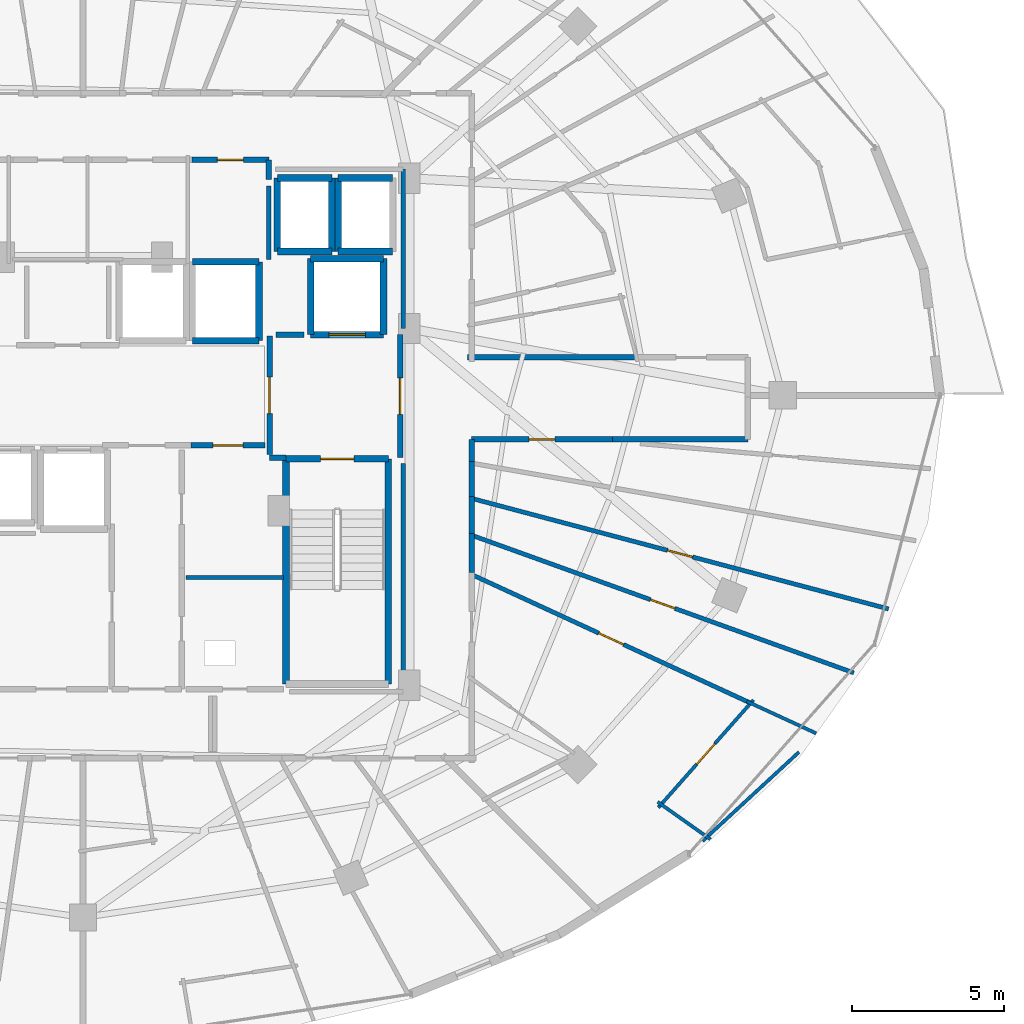
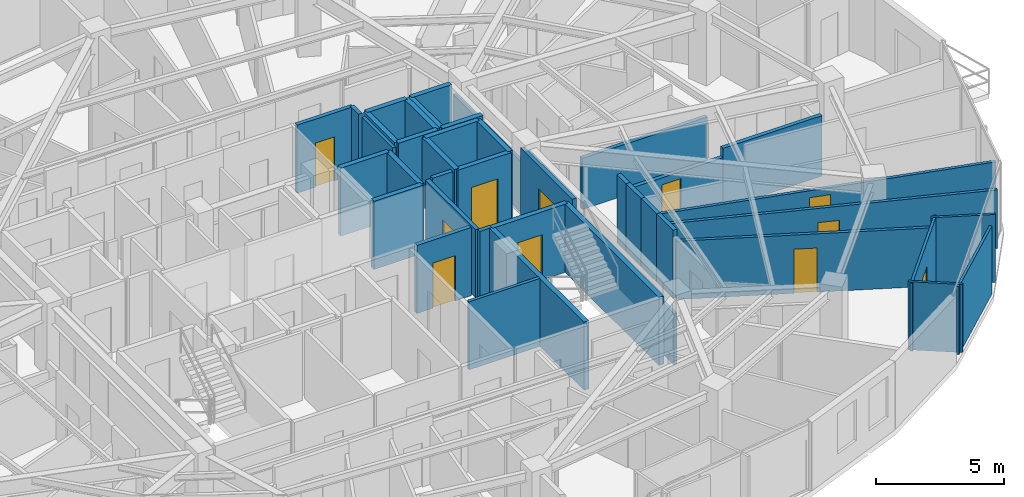
# One storey, part 28 of 34: 42 walls, 11 doors, 11 openings.
"""IFC4 building model written with IfcOpenShell, lengths in metres."""

from ifc_helpers import new_model, si_unit, direction, frame, frame_2d, origin, place, context, subcontext, project, spatial, rectangle, extrude, material, layer, layer_set, type_object, element, fill, save


model = new_model("IFC4")

# Units and contexts
model_context = context("Model", 3, precision=1e-05, world=origin(), true_north=direction((0.0, 1.0)))
body_context = subcontext(model_context, "Body", "Model", "MODEL_VIEW")
ifc_project = project(units=[si_unit("LENGTHUNIT", "METRE"), si_unit("AREAUNIT", "SQUARE_METRE"), si_unit("VOLUMEUNIT", "CUBIC_METRE"), si_unit("PLANEANGLEUNIT", "RADIAN"), si_unit("MASSUNIT", "GRAM", prefix="KILO")], contexts=[model_context])

# Site, building, storey
site_placement = place(None, origin())
site = spatial("IfcSite", under=ifc_project, at=site_placement, CompositionType="ELEMENT")
building_placement = place(site_placement, origin())
building = spatial("IfcBuilding", under=site, at=building_placement, Name="Vorneva Point Tower", CompositionType="ELEMENT")
storey_placement = place(building_placement, frame((0.0, 0.0, 186.10009765625)))
storey = spatial("IfcBuildingStorey", under=building, at=storey_placement, Name="L50", CompositionType="ELEMENT", Elevation=186.10009765625)

# Wall, opening, door
ifc_material_1 = material(Name="Concrete B60 (C50/60)", Category="concrete")
ifc_layer_1 = layer(ifc_material_1, 0.35009765625)
ifc_layer_set_1 = layer_set([ifc_layer_1], Name="Concrete B60 (C50/60)")
wall_type_1 = type_object("IfcWallType", Name="WL-CORE-350", PredefinedType="SHEAR", material=ifc_layer_set_1)
wall_1_placement = place(storey_placement, frame((45.5, 28.0, 0.0), z_axis=(0.0, 0.0, 1.0), x_axis=(1.0, 0.0, 0.0)))
wall_1 = element("IfcWall", 1, at=wall_1_placement, inside=storey, type_object=wall_type_1, Name="L50 Lift FFL2 Shaft Wall -Y", PredefinedType="SHEAR", context=body_context, shape_type="SweptSolid", body=[
    extrude(rectangle(XDim=2.39990234375, YDim=0.219970703125, at=frame_2d((1.199951171875, 0.0))), origin(), (0.0, 0.0, 1.0), 3.239990234375),
])
opening_1_placement = place(wall_1_placement, frame((0.60009765625, 0.0, 0.0)))
opening_1 = element("IfcOpeningElement", 2, at=opening_1_placement, cuts=wall_1, Name="Opening LD-02", PredefinedType="OPENING", context=body_context, shape_type="SweptSolid", body=[
    extrude(rectangle(XDim=1.199951171875, YDim=2.199951171875, at=frame_2d((0.60009765625, 1.10009765625))), frame((0.0, 0.125, 0.0), z_axis=(0.0, -1.0, 0.0), x_axis=(1.0, 0.0, 0.0)), (0.0, 0.0, 1.0), 0.249755859375),
])
ifc_material_2 = material(Name="Brushed stainless steel S304", Category="steel")
door_type_1 = type_object("IfcDoorType", Name="LD-FIRE-1200", OperationType="SLIDING_TO_LEFT", PredefinedType="DOOR", material=ifc_material_2)
door_1_placement = place(opening_1_placement, origin())
door_1 = element("IfcDoor", 3, at=door_1_placement, inside=storey, type_object=door_type_1, Name="L50 Lift FFL2 Sliding Landing Door", OperationType="SLIDING_TO_LEFT", OverallHeight=2.199951171875, OverallWidth=1.199951171875, PredefinedType="DOOR", context=body_context, shape_type="SweptSolid", body=[
    extrude(rectangle(XDim=1.199951171875, YDim=2.199951171875, at=frame_2d((0.60009765625, 1.10009765625))), frame((0.0, 0.02490234375, 0.0), z_axis=(0.0, -1.0, 0.0), x_axis=(1.0, 0.0, 0.0)), (0.0, 0.0, 1.0), 0.050048828125),
])
fill(opening_1, door_1)

# Walls
wall_2_placement = place(storey_placement, frame((47.89990234375, 28.0, 0.0), z_axis=(0.0, 0.0, 1.0), x_axis=(0.0, 1.0, 0.0)))
element("IfcWall", 4, at=wall_2_placement, inside=storey, type_object=wall_type_1, Name="L50 Lift FFL2 Shaft Wall +X", PredefinedType="SHEAR", context=body_context, shape_type="SweptSolid", body=[
    extrude(rectangle(XDim=2.5, YDim=0.219970703125, at=frame_2d((1.25, 0.0))), origin(), (0.0, 0.0, 1.0), 3.239990234375),
])
wall_3_placement = place(storey_placement, frame((47.89990234375, 30.5, 0.0), z_axis=(0.0, 0.0, 1.0), x_axis=(-1.0, 0.0, 0.0)))
element("IfcWall", 5, at=wall_3_placement, inside=storey, type_object=wall_type_1, Name="L50 Lift FFL2 Shaft Wall +Y", PredefinedType="SHEAR", context=body_context, shape_type="SweptSolid", body=[
    extrude(rectangle(XDim=2.39990234375, YDim=0.219970703125, at=frame_2d((1.199951171875, 0.0))), origin(), (0.0, 0.0, 1.0), 3.239990234375),
])
wall_4_placement = place(storey_placement, frame((45.5, 30.5, 0.0), z_axis=(0.0, 0.0, 1.0), x_axis=(0.0, -1.0, 0.0)))
element("IfcWall", 6, at=wall_4_placement, inside=storey, type_object=wall_type_1, Name="L50 Lift FFL2 Shaft Wall -X", PredefinedType="SHEAR", context=body_context, shape_type="SweptSolid", body=[
    extrude(rectangle(XDim=2.5, YDim=0.219970703125, at=frame_2d((1.25, 0.0))), origin(), (0.0, 0.0, 1.0), 3.239990234375),
])
ifc_material_3 = material(Name="Fire-rated acoustic gypsum stud partition", Category="gypsum")
ifc_layer_2 = layer(ifc_material_3, 0.110107421875)
ifc_layer_set_2 = layer_set([ifc_layer_2], Name="Fire-rated acoustic gypsum stud partition")
wall_type_2 = type_object("IfcWallType", Name="WL-PART-110", PredefinedType="PARTITIONING", material=ifc_layer_set_2)
wall_5_placement = place(storey_placement, frame((58.67236328125, 11.3740234375, 0.0), z_axis=(0.0, 0.0, 1.0), x_axis=(-0.816262906602, 0.577680592807, 0.0)))
element("IfcWall", 7, at=wall_5_placement, inside=storey, type_object=wall_type_2, Name="L50 Interior Partition 188", PredefinedType="PARTITIONING", context=body_context, shape_type="SweptSolid", body=[
    extrude(rectangle(XDim=2.132568359375, YDim=0.110107421875, at=frame_2d((1.06640625, 0.0))), origin(), (0.0, 0.0, 1.0), 3.239990234375),
])

# Wall, opening, door
wall_6_placement = place(storey_placement, frame((56.953369140625, 12.420166015625, 0.0), z_axis=(0.0, 0.0, 1.0), x_axis=(0.662189711464, 0.749336230294, 0.0)))
wall_6 = element("IfcWall", 8, at=wall_6_placement, inside=storey, type_object=wall_type_2, Name="L50 Interior Partition 189", PredefinedType="PARTITIONING", context=body_context, shape_type="SweptSolid", body=[
    extrude(rectangle(XDim=4.731689453125, YDim=0.110107421875, at=frame_2d((2.36572265625, 0.0))), origin(), (0.0, 0.0, 1.0), 3.239990234375),
])
opening_2_placement = place(wall_6_placement, frame((1.916015625, 0.0, 0.0)))
opening_2 = element("IfcOpeningElement", 9, at=opening_2_placement, cuts=wall_6, Name="Opening ID-01", PredefinedType="OPENING", context=body_context, shape_type="SweptSolid", body=[
    extrude(rectangle(XDim=0.89990234375, YDim=2.10009765625, at=frame_2d((0.449951171875, 1.050048828125))), frame((0.0, 0.06982421875, 0.0), z_axis=(0.0, -1.0, 0.0), x_axis=(1.0, 0.0, 0.0)), (0.0, 0.0, 1.0), 0.139892578125),
])
ifc_material_4 = material(Name="Engineered oak fire-rated door leaf", Category="wood")
door_type_2 = type_object("IfcDoorType", Name="DR-ROOM-900", OperationType="NOTDEFINED", PredefinedType="DOOR", material=ifc_material_4)
door_2_placement = place(opening_2_placement, origin())
door_2 = element("IfcDoor", 10, at=door_2_placement, inside=storey, type_object=door_type_2, Name="L50 Door Living and Dining Room L50-08 / Kitchen L50-08", OperationType="SINGLE_SWING_LEFT", OverallHeight=2.10009765625, OverallWidth=0.89990234375, PredefinedType="DOOR", context=body_context, shape_type="SweptSolid", body=[
    extrude(rectangle(XDim=0.89990234375, YDim=2.10009765625, at=frame_2d((0.449951171875, 1.050048828125))), frame((0.0, 0.02490234375, 0.0), z_axis=(0.0, -1.0, 0.0), x_axis=(1.0, 0.0, 0.0)), (0.0, 0.0, 1.0), 0.050048828125),
])
fill(opening_2, door_2)

# Walls
wall_7_placement = place(storey_placement, frame((58.41015625, 11.318115234375, 0.0), z_axis=(0.0, 0.0, 1.0), x_axis=(0.734861902375, 0.678216768031, 0.0)))
element("IfcWall", 11, at=wall_7_placement, inside=storey, type_object=wall_type_2, Name="L50 Interior Partition 190", PredefinedType="PARTITIONING", context=body_context, shape_type="SweptSolid", body=[
    extrude(rectangle(XDim=4.322998046875, YDim=0.110107421875, at=frame_2d((2.16162109375, 0.0))), origin(), (0.0, 0.0, 1.0), 3.239990234375),
])
wall_8_placement = place(storey_placement, frame((62.153076171875, 14.865478515625, 0.0), z_axis=(0.0, 0.0, 1.0), x_axis=(-0.908101251341, 0.418750662462, 0.0)))
element("IfcWall", 12, at=wall_8_placement, inside=storey, type_object=wall_type_2, Name="L50 Interior Partition 192", PredefinedType="PARTITIONING", context=body_context, shape_type="SweptSolid", body=[
    extrude(rectangle(XDim=2.517578125, YDim=0.110107421875, at=frame_2d((1.2587890625, 0.0))), origin(), (0.0, 0.0, 1.0), 3.239990234375),
])
ifc_layer_3 = layer(ifc_material_3, 0.139892578125)
ifc_layer_set_3 = layer_set([ifc_layer_3], Name="Fire-rated acoustic gypsum stud partition")
wall_type_3 = type_object("IfcWallType", Name="WL-PART-140", PredefinedType="PARTITIONING", material=ifc_layer_set_3)
wall_9_placement = place(storey_placement, frame((44.60009765625, 20.0, 0.0), z_axis=(0.0, 0.0, 1.0), x_axis=(-1.0, 0.0, 0.0)))
element("IfcWall", 13, at=wall_9_placement, inside=storey, type_object=wall_type_3, Name="L50 Interior Partition 018", PredefinedType="PARTITIONING", context=body_context, shape_type="SweptSolid", body=[
    extrude(rectangle(XDim=3.2001953125, YDim=0.139892578125, at=frame_2d((1.60009765625, 0.0))), origin(), (0.0, 0.0, 1.0), 3.239990234375),
])

# Wall, opening, door
wall_10_placement = place(storey_placement, frame((59.993896484375, 15.861083984375, 0.0), z_axis=(0.0, 0.0, 1.0), x_axis=(-0.908157621609, 0.41862839645, 0.0)))
wall_10 = element("IfcWall", 14, at=wall_10_placement, inside=storey, type_object=wall_type_3, Name="L50 Interior Partition 191", PredefinedType="PARTITIONING", context=body_context, shape_type="SweptSolid", body=[
    extrude(rectangle(XDim=10.12353515625, YDim=0.139892578125, at=frame_2d((5.061767578125, 0.0))), origin(), (0.0, 0.0, 1.0), 2.77392578125),
])
opening_3_placement = place(wall_10_placement, frame((4.61181640625, 0.0, 0.0)))
opening_3 = element("IfcOpeningElement", 15, at=opening_3_placement, cuts=wall_10, Name="Opening ID-01", PredefinedType="OPENING", context=body_context, shape_type="SweptSolid", body=[
    extrude(rectangle(XDim=0.89990234375, YDim=2.10009765625, at=frame_2d((0.449951171875, 1.050048828125))), frame((0.0, 0.0849609375, 0.0), z_axis=(0.0, -1.0, 0.0), x_axis=(1.0, 0.0, 0.0)), (0.0, 0.0, 1.0), 0.169677734375),
])
door_3_placement = place(opening_3_placement, origin())
door_3 = element("IfcDoor", 16, at=door_3_placement, inside=storey, type_object=door_type_2, Name="L50 Door Living and Dining Room L50-08 / Master Bedroom L50-08.1", OperationType="SINGLE_SWING_RIGHT", OverallHeight=2.10009765625, OverallWidth=0.89990234375, PredefinedType="DOOR", context=body_context, shape_type="SweptSolid", body=[
    extrude(rectangle(XDim=0.89990234375, YDim=2.10009765625, at=frame_2d((0.449951171875, 1.050048828125))), frame((0.0, 0.02490234375, 0.0), z_axis=(0.0, -1.0, 0.0), x_axis=(1.0, 0.0, 0.0)), (0.0, 0.0, 1.0), 0.050048828125),
])
fill(opening_3, door_3)

wall_11_placement = place(storey_placement, frame((63.39111328125, 16.85888671875, 0.0), z_axis=(0.0, 0.0, 1.0), x_axis=(-0.940877411069, 0.338747246985, 0.0)))
wall_11 = element("IfcWall", 17, at=wall_11_placement, inside=storey, type_object=wall_type_3, Name="L50 Interior Partition 193", PredefinedType="PARTITIONING", context=body_context, shape_type="SweptSolid", body=[
    extrude(rectangle(XDim=13.38232421875, YDim=0.139892578125, at=frame_2d((6.691162109375, 0.0))), origin(), (0.0, 0.0, 1.0), 2.77392578125),
])
opening_4_placement = place(wall_11_placement, frame((6.26611328125, 0.0, 0.0)))
opening_4 = element("IfcOpeningElement", 18, at=opening_4_placement, cuts=wall_11, Name="Opening ID-02", PredefinedType="OPENING", context=body_context, shape_type="SweptSolid", body=[
    extrude(rectangle(XDim=0.85009765625, YDim=2.10009765625, at=frame_2d((0.425048828125, 1.050048828125))), frame((0.0, 0.0849609375, 0.0), z_axis=(0.0, -1.0, 0.0), x_axis=(1.0, 0.0, 0.0)), (0.0, 0.0, 1.0), 0.169677734375),
])
door_type_3 = type_object("IfcDoorType", Name="DR-BATH-850", OperationType="NOTDEFINED", PredefinedType="DOOR", material=ifc_material_4)
door_4_placement = place(opening_4_placement, origin())
door_4 = element("IfcDoor", 19, at=door_4_placement, inside=storey, type_object=door_type_3, Name="L50 Access Door Master Bedroom L50-08.1", OperationType="SINGLE_SWING_LEFT", OverallHeight=2.10009765625, OverallWidth=0.85009765625, PredefinedType="DOOR", context=body_context, shape_type="SweptSolid", body=[
    extrude(rectangle(XDim=0.85009765625, YDim=2.10009765625, at=frame_2d((0.425048828125, 1.050048828125))), frame((0.0, 0.02490234375, 0.0), z_axis=(0.0, -1.0, 0.0), x_axis=(1.0, 0.0, 0.0)), (0.0, 0.0, 1.0), 0.050048828125),
])
fill(opening_4, door_4)

wall_12_placement = place(storey_placement, frame((64.534912109375, 18.964111328125, 0.0), z_axis=(0.0, 0.0, 1.0), x_axis=(-0.966598137313, 0.256296782934, 0.0)))
wall_12 = element("IfcWall", 20, at=wall_12_placement, inside=storey, type_object=wall_type_3, Name="L50 Interior Partition 194", PredefinedType="PARTITIONING", context=body_context, shape_type="SweptSolid", body=[
    extrude(rectangle(XDim=14.20947265625, YDim=0.139892578125, at=frame_2d((7.104736328125, 0.0))), origin(), (0.0, 0.0, 1.0), 2.431884765625),
])
opening_5_placement = place(wall_12_placement, frame((6.6796875, 0.0, 0.0)))
opening_5 = element("IfcOpeningElement", 21, at=opening_5_placement, cuts=wall_12, Name="Opening ID-02", PredefinedType="OPENING", context=body_context, shape_type="SweptSolid", body=[
    extrude(rectangle(XDim=0.85009765625, YDim=2.10009765625, at=frame_2d((0.425048828125, 1.050048828125))), frame((0.0, 0.0849609375, 0.0), z_axis=(0.0, -1.0, 0.0), x_axis=(1.0, 0.0, 0.0)), (0.0, 0.0, 1.0), 0.169677734375),
])
door_5_placement = place(opening_5_placement, origin())
door_5 = element("IfcDoor", 22, at=door_5_placement, inside=storey, type_object=door_type_3, Name="L50 Access Door Bedroom L50-08.2", OperationType="SINGLE_SWING_RIGHT", OverallHeight=2.10009765625, OverallWidth=0.85009765625, PredefinedType="DOOR", context=body_context, shape_type="SweptSolid", body=[
    extrude(rectangle(XDim=0.85009765625, YDim=2.10009765625, at=frame_2d((0.425048828125, 1.050048828125))), frame((0.0, 0.02490234375, 0.0), z_axis=(0.0, -1.0, 0.0), x_axis=(1.0, 0.0, 0.0)), (0.0, 0.0, 1.0), 0.050048828125),
])
fill(opening_5, door_5)

# Walls
wall_13_placement = place(storey_placement, frame((44.1201171875, 30.47998046875, 0.0), z_axis=(0.0, 0.0, 1.0), x_axis=(0.0, 1.0, 0.0)))
element("IfcWall", 23, at=wall_13_placement, inside=storey, type_object=wall_type_3, Name="L50 Interior Closure Partition 200", PredefinedType="PARTITIONING", context=body_context, shape_type="SweptSolid", body=[
    extrude(rectangle(XDim=2.409912109375, YDim=0.139892578125, at=frame_2d((1.205078125, 0.0))), origin(), (0.0, 0.0, 1.0), 3.239990234375),
])
wall_14_placement = place(storey_placement, frame((48.550048828125, 28.196044921875, 0.0), z_axis=(0.0, 0.0, 1.0), x_axis=(0.0, 1.0, 0.0)))
element("IfcWall", 24, at=wall_14_placement, inside=storey, type_object=wall_type_3, Name="L50 Interior Closure Partition 207", PredefinedType="PARTITIONING", context=body_context, shape_type="SweptSolid", body=[
    extrude(rectangle(XDim=5.25390625, YDim=0.139892578125, at=frame_2d((2.626953125, 0.0))), origin(), (0.0, 0.0, 1.0), 2.431884765625),
])
wall_15_placement = place(storey_placement, frame((48.550048828125, 16.239990234375, 0.0), z_axis=(0.0, 0.0, 1.0), x_axis=(0.0, 1.0, 0.0)))
element("IfcWall", 25, at=wall_15_placement, inside=storey, type_object=wall_type_3, Name="L50 Interior Closure Partition 217", PredefinedType="PARTITIONING", context=body_context, shape_type="SweptSolid", body=[
    extrude(rectangle(XDim=7.513916015625, YDim=0.139892578125, at=frame_2d((3.7568359375, 0.0))), origin(), (0.0, 0.0, 1.0), 2.431884765625),
])

# Wall, opening, door
ifc_material_5 = material(Name="Autoclaved aerated concrete blockwork", Category="masonry")
ifc_layer_4 = layer(ifc_material_5, 0.179931640625)
ifc_layer_set_4 = layer_set([ifc_layer_4], Name="Autoclaved aerated concrete blockwork")
wall_type_4 = type_object("IfcWallType", Name="WL-PART-180", PredefinedType="PARTITIONING", material=ifc_layer_set_4)
wall_16_placement = place(storey_placement, frame((44.14990234375, 27.955078125, 0.0), z_axis=(0.0, 0.0, 1.0), x_axis=(0.0, -1.0, 0.0)))
wall_16 = element("IfcWall", 26, at=wall_16_placement, inside=storey, type_object=wall_type_4, Name="L50 Interior Partition 003", PredefinedType="PARTITIONING", context=body_context, shape_type="SweptSolid", body=[
    extrude(rectangle(XDim=3.91015625, YDim=0.179931640625, at=frame_2d((1.955078125, 0.0))), origin(), (0.0, 0.0, 1.0), 3.239990234375),
])
opening_6_placement = place(wall_16_placement, frame((1.35498046875, 0.0, 0.0)))
opening_6 = element("IfcOpeningElement", 27, at=opening_6_placement, cuts=wall_16, Name="Opening FD-02", PredefinedType="OPENING", context=body_context, shape_type="SweptSolid", body=[
    extrude(rectangle(XDim=1.199951171875, YDim=2.14990234375, at=frame_2d((0.60009765625, 1.074951171875))), frame((0.0, 0.10498046875, 0.0), z_axis=(0.0, -1.0, 0.0), x_axis=(1.0, 0.0, 0.0)), (0.0, 0.0, 1.0), 0.209716796875),
])
ifc_material_6 = material(Name="Fire-rated powder-coated steel", Category="steel")
door_type_4 = type_object("IfcDoorType", Name="DR-FFL-1200", OperationType="NOTDEFINED", PredefinedType="DOOR", material=ifc_material_6)
door_6_placement = place(opening_6_placement, origin())
door_6 = element("IfcDoor", 28, at=door_6_placement, inside=storey, type_object=door_type_4, Name="L50 Door East Firefighting Lobby / Central Lift Lobby", OperationType="SINGLE_SWING_LEFT", OverallHeight=2.14990234375, OverallWidth=1.199951171875, PredefinedType="DOOR", context=body_context, shape_type="SweptSolid", body=[
    extrude(rectangle(XDim=1.199951171875, YDim=2.14990234375, at=frame_2d((0.60009765625, 1.074951171875))), frame((0.0, 0.02490234375, 0.0), z_axis=(0.0, -1.0, 0.0), x_axis=(1.0, 0.0, 0.0)), (0.0, 0.0, 1.0), 0.050048828125),
])
fill(opening_6, door_6)

# Wall
wall_17_placement = place(storey_placement, frame((44.14990234375, 23.949951171875, 0.0), z_axis=(0.0, 0.0, 1.0), x_axis=(1.0, 0.0, 0.0)))
element("IfcWall", 29, at=wall_17_placement, inside=storey, type_object=wall_type_4, Name="L50 Interior Partition 004", PredefinedType="PARTITIONING", context=body_context, shape_type="SweptSolid", body=[
    extrude(rectangle(XDim=0.5400390625, YDim=0.179931640625, at=frame_2d((0.27001953125, 0.0))), origin(), (0.0, 0.0, 1.0), 3.239990234375),
])

# Wall, opening, door
wall_18_placement = place(storey_placement, frame((48.449951171875, 23.949951171875, 0.0), z_axis=(0.0, 0.0, 1.0), x_axis=(0.0, 1.0, 0.0)))
wall_18 = element("IfcWall", 30, at=wall_18_placement, inside=storey, type_object=wall_type_4, Name="L50 Interior Partition 005", PredefinedType="PARTITIONING", context=body_context, shape_type="SweptSolid", body=[
    extrude(rectangle(XDim=4.050048828125, YDim=0.179931640625, at=frame_2d((2.02490234375, 0.0))), origin(), (0.0, 0.0, 1.0), 3.239990234375),
])
opening_7_placement = place(wall_18_placement, frame((1.425048828125, 0.0, 0.0)))
opening_7 = element("IfcOpeningElement", 31, at=opening_7_placement, cuts=wall_18, Name="Opening FD-02", PredefinedType="OPENING", context=body_context, shape_type="SweptSolid", body=[
    extrude(rectangle(XDim=1.199951171875, YDim=2.14990234375, at=frame_2d((0.60009765625, 1.074951171875))), frame((0.0, 0.10498046875, 0.0), z_axis=(0.0, -1.0, 0.0), x_axis=(1.0, 0.0, 0.0)), (0.0, 0.0, 1.0), 0.209716796875),
])
door_7_placement = place(opening_7_placement, origin())
door_7 = element("IfcDoor", 32, at=door_7_placement, inside=storey, type_object=door_type_4, Name="L50 Door East Firefighting Lobby / L50 Circulation Corridor", OperationType="SINGLE_SWING_LEFT", OverallHeight=2.14990234375, OverallWidth=1.199951171875, PredefinedType="DOOR", context=body_context, shape_type="SweptSolid", body=[
    extrude(rectangle(XDim=1.199951171875, YDim=2.14990234375, at=frame_2d((0.60009765625, 1.074951171875))), frame((0.0, 0.02490234375, 0.0), z_axis=(0.0, -1.0, 0.0), x_axis=(1.0, 0.0, 0.0)), (0.0, 0.0, 1.0), 0.050048828125),
])
fill(opening_7, door_7)

wall_19_placement = place(storey_placement, frame((41.554931640625, 24.35009765625, 0.0), z_axis=(0.0, 0.0, 1.0), x_axis=(1.0, 0.0, 0.0)))
wall_19 = element("IfcWall", 33, at=wall_19_placement, inside=storey, type_object=wall_type_4, Name="L50 Interior Partition 011", PredefinedType="PARTITIONING", context=body_context, shape_type="SweptSolid", body=[
    extrude(rectangle(XDim=2.445068359375, YDim=0.179931640625, at=frame_2d((1.22265625, 0.0))), origin(), (0.0, 0.0, 1.0), 3.239990234375),
])
opening_8_placement = place(wall_19_placement, frame((0.722412109375, 0.0, 0.0)))
opening_8 = element("IfcOpeningElement", 34, at=opening_8_placement, cuts=wall_19, Name="Opening UD-01", PredefinedType="OPENING", context=body_context, shape_type="SweptSolid", body=[
    extrude(rectangle(XDim=1.0, YDim=2.14990234375, at=frame_2d((0.5, 1.074951171875))), frame((0.0, 0.10498046875, 0.0), z_axis=(0.0, -1.0, 0.0), x_axis=(1.0, 0.0, 0.0)), (0.0, 0.0, 1.0), 0.209716796875),
])
door_type_5 = type_object("IfcDoorType", Name="DR-UNIT-1000", OperationType="NOTDEFINED", PredefinedType="DOOR", material=ifc_material_4)
door_8_placement = place(opening_8_placement, origin())
door_8 = element("IfcDoor", 35, at=door_8_placement, inside=storey, type_object=door_type_5, Name="L50 Door Central Lift Lobby / Floor Management Office", OperationType="SINGLE_SWING_LEFT", OverallHeight=2.14990234375, OverallWidth=1.0, PredefinedType="DOOR", context=body_context, shape_type="SweptSolid", body=[
    extrude(rectangle(XDim=1.0, YDim=2.14990234375, at=frame_2d((0.5, 1.074951171875))), frame((0.0, 0.02490234375, 0.0), z_axis=(0.0, -1.0, 0.0), x_axis=(1.0, 0.0, 0.0)), (0.0, 0.0, 1.0), 0.050048828125),
])
fill(opening_8, door_8)

wall_20_placement = place(storey_placement, frame((44.1201171875, 33.760009765625, 0.0), z_axis=(0.0, 0.0, 1.0), x_axis=(-1.0, 0.0, 0.0)))
wall_20 = element("IfcWall", 36, at=wall_20_placement, inside=storey, type_object=wall_type_4, Name="L50 Interior Partition 029", PredefinedType="PARTITIONING", context=body_context, shape_type="SweptSolid", body=[
    extrude(rectangle(XDim=2.530029296875, YDim=0.179931640625, at=frame_2d((1.26513671875, 0.0))), origin(), (0.0, 0.0, 1.0), 3.239990234375),
])
opening_9_placement = place(wall_20_placement, frame((0.840087890625, 0.0, 0.0)))
opening_9 = element("IfcOpeningElement", 37, at=opening_9_placement, cuts=wall_20, Name="Opening ID-02", PredefinedType="OPENING", context=body_context, shape_type="SweptSolid", body=[
    extrude(rectangle(XDim=0.85009765625, YDim=2.10009765625, at=frame_2d((0.425048828125, 1.050048828125))), frame((0.0, 0.10498046875, 0.0), z_axis=(0.0, -1.0, 0.0), x_axis=(1.0, 0.0, 0.0)), (0.0, 0.0, 1.0), 0.209716796875),
])
door_9_placement = place(opening_9_placement, origin())
door_9 = element("IfcDoor", 38, at=door_9_placement, inside=storey, type_object=door_type_3, Name="L50 Door Cleaners Store / L50 Circulation Corridor", OperationType="SINGLE_SWING_RIGHT", OverallHeight=2.10009765625, OverallWidth=0.85009765625, PredefinedType="DOOR", context=body_context, shape_type="SweptSolid", body=[
    extrude(rectangle(XDim=0.85009765625, YDim=2.10009765625, at=frame_2d((0.425048828125, 1.050048828125))), frame((0.0, 0.02490234375, 0.0), z_axis=(0.0, -1.0, 0.0), x_axis=(1.0, 0.0, 0.0)), (0.0, 0.0, 1.0), 0.050048828125),
])
fill(opening_9, door_9)

# Walls
wall_21_placement = place(storey_placement, frame((44.1201171875, 33.110107421875, 0.0), z_axis=(0.0, 0.0, 1.0), x_axis=(0.0, 1.0, 0.0)))
element("IfcWall", 39, at=wall_21_placement, inside=storey, type_object=wall_type_4, Name="L50 Interior Partition 030", PredefinedType="PARTITIONING", context=body_context, shape_type="SweptSolid", body=[
    extrude(rectangle(XDim=0.64990234375, YDim=0.179931640625, at=frame_2d((0.324951171875, 0.0))), origin(), (0.0, 0.0, 1.0), 3.239990234375),
])
wall_22_placement = place(storey_placement, frame((56.30908203125, 27.25, 0.0), z_axis=(0.0, 0.0, 1.0), x_axis=(-1.0, 0.0, 0.0)))
element("IfcWall", 40, at=wall_22_placement, inside=storey, type_object=wall_type_4, Name="L50 Interior Partition 038", PredefinedType="PARTITIONING", context=body_context, shape_type="SweptSolid", body=[
    extrude(rectangle(XDim=5.649169921875, YDim=0.179931640625, at=frame_2d((2.82470703125, 0.0))), origin(), (0.0, 0.0, 1.0), 2.431884765625),
])
wall_23_placement = place(storey_placement, frame((50.800048828125, 20.158935546875, 0.0), z_axis=(0.0, 0.0, 1.0), x_axis=(0.0, 1.0, 0.0)))
element("IfcWall", 41, at=wall_23_placement, inside=storey, type_object=wall_type_4, Name="L50 Interior Partition 089", PredefinedType="PARTITIONING", context=body_context, shape_type="SweptSolid", body=[
    extrude(rectangle(XDim=1.29296875, YDim=0.179931640625, at=frame_2d((0.646484375, 0.0))), origin(), (0.0, 0.0, 1.0), 3.239990234375),
])
wall_24_placement = place(storey_placement, frame((50.800048828125, 21.451904296875, 0.0), z_axis=(0.0, 0.0, 1.0), x_axis=(0.0, 1.0, 0.0)))
element("IfcWall", 42, at=wall_24_placement, inside=storey, type_object=wall_type_4, Name="L50 Interior Partition 090", PredefinedType="PARTITIONING", context=body_context, shape_type="SweptSolid", body=[
    extrude(rectangle(XDim=1.214111328125, YDim=0.179931640625, at=frame_2d((0.60693359375, 0.0))), origin(), (0.0, 0.0, 1.0), 3.239990234375),
])
wall_25_placement = place(storey_placement, frame((50.800048828125, 22.666015625, 0.0), z_axis=(0.0, 0.0, 1.0), x_axis=(0.0, 1.0, 0.0)))
element("IfcWall", 43, at=wall_25_placement, inside=storey, type_object=wall_type_4, Name="L50 Interior Partition 091", PredefinedType="PARTITIONING", context=body_context, shape_type="SweptSolid", body=[
    extrude(rectangle(XDim=1.159912109375, YDim=0.179931640625, at=frame_2d((0.580078125, 0.0))), origin(), (0.0, 0.0, 1.0), 3.239990234375),
])
wall_26_placement = place(storey_placement, frame((50.800048828125, 23.825927734375, 0.0), z_axis=(0.0, 0.0, 1.0), x_axis=(0.0, 1.0, 0.0)))
element("IfcWall", 44, at=wall_26_placement, inside=storey, type_object=wall_type_4, Name="L50 Interior Partition 092", PredefinedType="PARTITIONING", context=body_context, shape_type="SweptSolid", body=[
    extrude(rectangle(XDim=0.72412109375, YDim=0.179931640625, at=frame_2d((0.362060546875, 0.0))), origin(), (0.0, 0.0, 1.0), 3.239990234375),
])

# Wall, opening, door
wall_27_placement = place(storey_placement, frame((50.800048828125, 24.550048828125, 0.0), z_axis=(0.0, 0.0, 1.0), x_axis=(1.0, 0.0, 0.0)))
wall_27 = element("IfcWall", 45, at=wall_27_placement, inside=storey, type_object=wall_type_4, Name="L50 Interior Partition 093", PredefinedType="PARTITIONING", context=body_context, shape_type="SweptSolid", body=[
    extrude(rectangle(XDim=4.636962890625, YDim=0.179931640625, at=frame_2d((2.318359375, 0.0))), origin(), (0.0, 0.0, 1.0), 2.431884765625),
])
opening_10_placement = place(wall_27_placement, frame((1.8935546875, 0.0, 0.0)))
opening_10 = element("IfcOpeningElement", 46, at=opening_10_placement, cuts=wall_27, Name="Opening ID-02", PredefinedType="OPENING", context=body_context, shape_type="SweptSolid", body=[
    extrude(rectangle(XDim=0.85009765625, YDim=2.10009765625, at=frame_2d((0.425048828125, 1.050048828125))), frame((0.0, 0.10498046875, 0.0), z_axis=(0.0, -1.0, 0.0), x_axis=(1.0, 0.0, 0.0)), (0.0, 0.0, 1.0), 0.209716796875),
])
door_10_placement = place(opening_10_placement, origin())
door_10 = element("IfcDoor", 47, at=door_10_placement, inside=storey, type_object=door_type_3, Name="L50 Access Door L50 Circulation Corridor", OperationType="SINGLE_SWING_RIGHT", OverallHeight=2.10009765625, OverallWidth=0.85009765625, PredefinedType="DOOR", context=body_context, shape_type="SweptSolid", body=[
    extrude(rectangle(XDim=0.85009765625, YDim=2.10009765625, at=frame_2d((0.425048828125, 1.050048828125))), frame((0.0, 0.02490234375, 0.0), z_axis=(0.0, -1.0, 0.0), x_axis=(1.0, 0.0, 0.0)), (0.0, 0.0, 1.0), 0.050048828125),
])
fill(opening_10, door_10)

# Walls
wall_28_placement = place(storey_placement, frame((55.43701171875, 24.550048828125, 0.0), z_axis=(0.0, 0.0, 1.0), x_axis=(1.0, 0.0, 0.0)))
element("IfcWall", 48, at=wall_28_placement, inside=storey, type_object=wall_type_4, Name="L50 Interior Partition 094", PredefinedType="PARTITIONING", context=body_context, shape_type="SweptSolid", body=[
    extrude(rectangle(XDim=4.462890625, YDim=0.179931640625, at=frame_2d((2.2314453125, 0.0))), origin(), (0.0, 0.0, 1.0), 2.8740234375),
])
wall_29_placement = place(storey_placement, frame((45.280029296875, 28.0, 0.0), z_axis=(0.0, 0.0, 1.0), x_axis=(-1.0, 0.0, 0.0)))
element("IfcWall", 49, at=wall_29_placement, inside=storey, type_object=wall_type_4, Name="L50 Interior Closure Partition 198", PredefinedType="PARTITIONING", context=body_context, shape_type="SweptSolid", body=[
    extrude(rectangle(XDim=0.9150390625, YDim=0.179931640625, at=frame_2d((0.45751953125, 0.0))), origin(), (0.0, 0.0, 1.0), 3.239990234375),
])

# Wall, opening, door
ifc_material_7 = material(Name="Concrete B50 (C40/50)", Category="concrete")
ifc_layer_5 = layer(ifc_material_7, 0.219970703125)
ifc_layer_set_5 = layer_set([ifc_layer_5], Name="Concrete B50 (C40/50)")
wall_type_5 = type_object("IfcWallType", Name="WL-SHFT-220", PredefinedType="SOLIDWALL", material=ifc_layer_set_5)
wall_30_placement = place(storey_placement, frame((44.68994140625, 23.909912109375, 0.0), z_axis=(0.0, 0.0, 1.0), x_axis=(1.0, 0.0, 0.0)))
wall_30 = element("IfcWall", 50, at=wall_30_placement, inside=storey, type_object=wall_type_5, Name="L50 Exit Stair ST2 Shaft Wall near", PredefinedType="SOLIDWALL", context=body_context, shape_type="SweptSolid", body=[
    extrude(rectangle(XDim=3.3701171875, YDim=0.219970703125, at=frame_2d((1.68505859375, 0.0))), origin(), (0.0, 0.0, 1.0), 3.239990234375),
])
opening_11_placement = place(wall_30_placement, frame((1.135009765625, 0.0, 0.0)))
opening_11 = element("IfcOpeningElement", 51, at=opening_11_placement, cuts=wall_30, Name="Opening FD-01", PredefinedType="OPENING", context=body_context, shape_type="SweptSolid", body=[
    extrude(rectangle(XDim=1.10009765625, YDim=2.14990234375, at=frame_2d((0.550048828125, 1.074951171875))), frame((0.0, 0.125, 0.0), z_axis=(0.0, -1.0, 0.0), x_axis=(1.0, 0.0, 0.0)), (0.0, 0.0, 1.0), 0.249755859375),
])
door_type_6 = type_object("IfcDoorType", Name="DR-STAIR-1100", OperationType="NOTDEFINED", PredefinedType="DOOR", material=ifc_material_6)
door_11_placement = place(opening_11_placement, origin())
door_11 = element("IfcDoor", 52, at=door_11_placement, inside=storey, type_object=door_type_6, Name="L50 Exit Stair ST2 Fire Door", OperationType="SINGLE_SWING_LEFT", OverallHeight=2.14990234375, OverallWidth=1.10009765625, PredefinedType="DOOR", context=body_context, shape_type="SweptSolid", body=[
    extrude(rectangle(XDim=1.10009765625, YDim=2.14990234375, at=frame_2d((0.550048828125, 1.074951171875))), frame((0.0, 0.02490234375, 0.0), z_axis=(0.0, -1.0, 0.0), x_axis=(1.0, 0.0, 0.0)), (0.0, 0.0, 1.0), 0.050048828125),
])
fill(opening_11, door_11)

# Walls
for number, where, z_axis, x_axis, name in (
    (53, (48.06005859375, 23.909912109375, 0.0), (0.0, 0.0, 1.0), (0.0, -1.0, 0.0), "L50 Exit Stair ST2 Shaft Wall right"),
    (54, (44.68994140625, 16.489990234375, 0.0), (0.0, 0.0, 1.0), (0.0, 1.0, 0.0), "L50 Exit Stair ST2 Shaft Wall left"),
):
    element("IfcWall", number, at=place(storey_placement, frame(where, z_axis=z_axis, x_axis=x_axis)), inside=storey, type_object=wall_type_5, Name=name, PredefinedType="SOLIDWALL", context=body_context, shape_type="SweptSolid", body=[
        extrude(rectangle(XDim=7.419921875, YDim=0.219970703125, at=frame_2d((3.7099609375, 0.0))), origin(), (0.0, 0.0, 1.0), 3.239990234375),
    ])
wall_31_placement = place(storey_placement, frame((41.60009765625, 27.800048828125, 0.0), z_axis=(0.0, 0.0, 1.0), x_axis=(1.0, 0.0, 0.0)))
element("IfcWall", 55, at=wall_31_placement, inside=storey, type_object=wall_type_5, Name="L50 Lift PL8 Shaft Wall -Y", PredefinedType="SOLIDWALL", context=body_context, shape_type="SweptSolid", body=[
    extrude(rectangle(XDim=2.199951171875, YDim=0.219970703125, at=frame_2d((1.10009765625, 0.0))), origin(), (0.0, 0.0, 1.0), 3.239990234375),
])
wall_32_placement = place(storey_placement, frame((43.800048828125, 27.800048828125, 0.0), z_axis=(0.0, 0.0, 1.0), x_axis=(0.0, 1.0, 0.0)))
element("IfcWall", 56, at=wall_32_placement, inside=storey, type_object=wall_type_5, Name="L50 Lift PL8 Shaft Wall +X", PredefinedType="SOLIDWALL", context=body_context, shape_type="SweptSolid", body=[
    extrude(rectangle(XDim=2.599853515625, YDim=0.219970703125, at=frame_2d((1.2998046875, 0.0))), origin(), (0.0, 0.0, 1.0), 3.239990234375),
])
wall_33_placement = place(storey_placement, frame((43.800048828125, 30.39990234375, 0.0), z_axis=(0.0, 0.0, 1.0), x_axis=(-1.0, 0.0, 0.0)))
element("IfcWall", 57, at=wall_33_placement, inside=storey, type_object=wall_type_5, Name="L50 Lift PL8 Shaft Wall +Y", PredefinedType="SOLIDWALL", context=body_context, shape_type="SweptSolid", body=[
    extrude(rectangle(XDim=2.199951171875, YDim=0.219970703125, at=frame_2d((1.10009765625, 0.0))), origin(), (0.0, 0.0, 1.0), 3.239990234375),
])
wall_34_placement = place(storey_placement, frame((44.39990234375, 30.739990234375, 0.0), z_axis=(0.0, 0.0, 1.0), x_axis=(1.0, 0.0, 0.0)))
element("IfcWall", 58, at=wall_34_placement, inside=storey, type_object=wall_type_5, Name="L50 Lift EX1 Shaft Wall -Y", PredefinedType="SOLIDWALL", context=body_context, shape_type="SweptSolid", body=[
    extrude(rectangle(XDim=1.800048828125, YDim=0.219970703125, at=frame_2d((0.89990234375, 0.0))), origin(), (0.0, 0.0, 1.0), 3.239990234375),
])
wall_35_placement = place(storey_placement, frame((46.199951171875, 30.739990234375, 0.0), z_axis=(0.0, 0.0, 1.0), x_axis=(0.0, 1.0, 0.0)))
element("IfcWall", 59, at=wall_35_placement, inside=storey, type_object=wall_type_5, Name="L50 Lift EX1 Shaft Wall +X", PredefinedType="SOLIDWALL", context=body_context, shape_type="SweptSolid", body=[
    extrude(rectangle(XDim=2.419921875, YDim=0.219970703125, at=frame_2d((1.2099609375, 0.0))), origin(), (0.0, 0.0, 1.0), 3.239990234375),
])
wall_36_placement = place(storey_placement, frame((46.199951171875, 33.159912109375, 0.0), z_axis=(0.0, 0.0, 1.0), x_axis=(-1.0, 0.0, 0.0)))
element("IfcWall", 60, at=wall_36_placement, inside=storey, type_object=wall_type_5, Name="L50 Lift EX1 Shaft Wall +Y", PredefinedType="SOLIDWALL", context=body_context, shape_type="SweptSolid", body=[
    extrude(rectangle(XDim=1.800048828125, YDim=0.219970703125, at=frame_2d((0.89990234375, 0.0))), origin(), (0.0, 0.0, 1.0), 3.239990234375),
])
wall_37_placement = place(storey_placement, frame((44.39990234375, 33.159912109375, 0.0), z_axis=(0.0, 0.0, 1.0), x_axis=(0.0, -1.0, 0.0)))
element("IfcWall", 61, at=wall_37_placement, inside=storey, type_object=wall_type_5, Name="L50 Lift EX1 Shaft Wall -X", PredefinedType="SOLIDWALL", context=body_context, shape_type="SweptSolid", body=[
    extrude(rectangle(XDim=2.419921875, YDim=0.219970703125, at=frame_2d((1.2099609375, 0.0))), origin(), (0.0, 0.0, 1.0), 3.239990234375),
])
for number, where, z_axis, x_axis, name in (
    (62, (46.39990234375, 30.739990234375, 0.0), (0.0, 0.0, 1.0), (1.0, 0.0, 0.0), "L50 Lift EX2 Shaft Wall -Y"),
    (63, (48.199951171875, 33.159912109375, 0.0), (0.0, 0.0, 1.0), (-1.0, 0.0, 0.0), "L50 Lift EX2 Shaft Wall +Y"),
):
    element("IfcWall", number, at=place(storey_placement, frame(where, z_axis=z_axis, x_axis=x_axis)), inside=storey, type_object=wall_type_5, Name=name, PredefinedType="SOLIDWALL", context=body_context, shape_type="SweptSolid", body=[
        extrude(rectangle(XDim=1.800048828125, YDim=0.219970703125, at=frame_2d((0.89990234375, 0.0))), origin(), (0.0, 0.0, 1.0), 3.239990234375),
    ])
wall_38_placement = place(storey_placement, frame((46.39990234375, 33.159912109375, 0.0), z_axis=(0.0, 0.0, 1.0), x_axis=(0.0, -1.0, 0.0)))
element("IfcWall", 64, at=wall_38_placement, inside=storey, type_object=wall_type_5, Name="L50 Lift EX2 Shaft Wall -X", PredefinedType="SOLIDWALL", context=body_context, shape_type="SweptSolid", body=[
    extrude(rectangle(XDim=2.419921875, YDim=0.219970703125, at=frame_2d((1.2099609375, 0.0))), origin(), (0.0, 0.0, 1.0), 3.239990234375),
])

save(model, "model.ifc")
